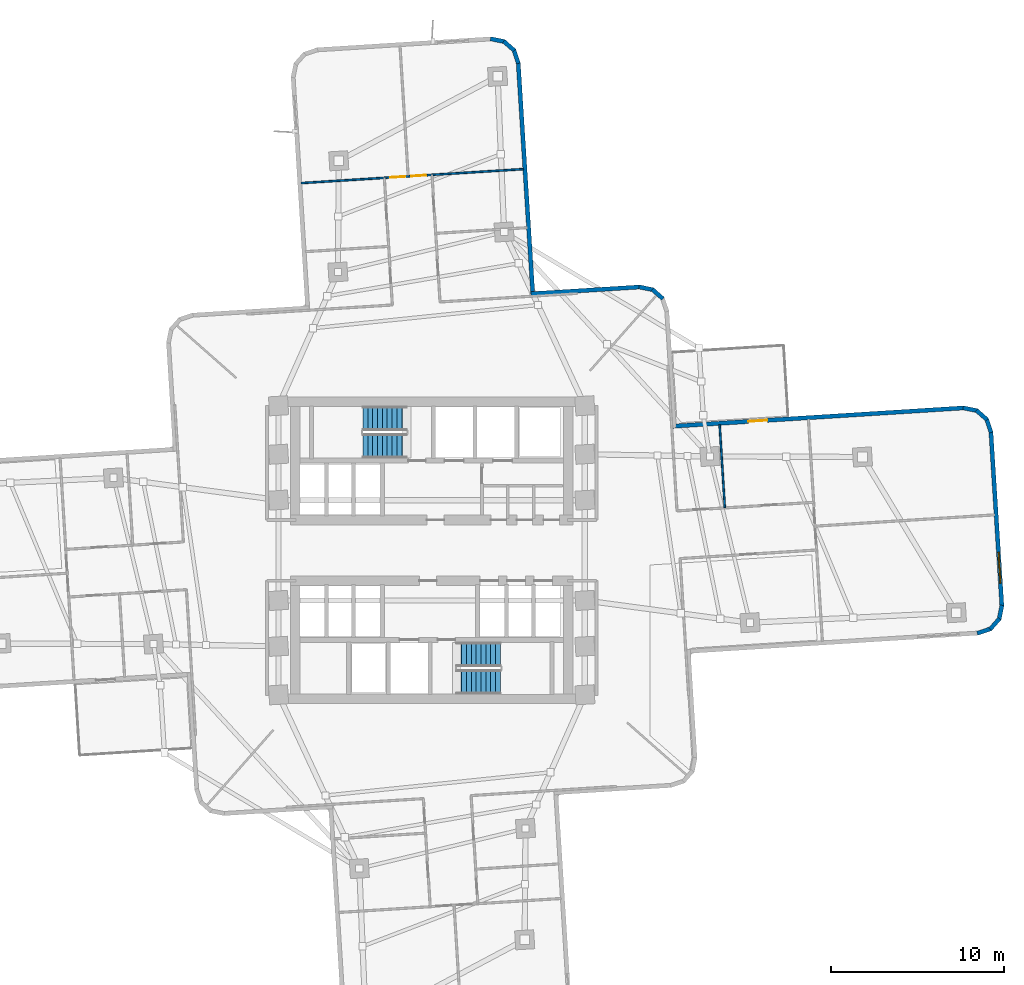
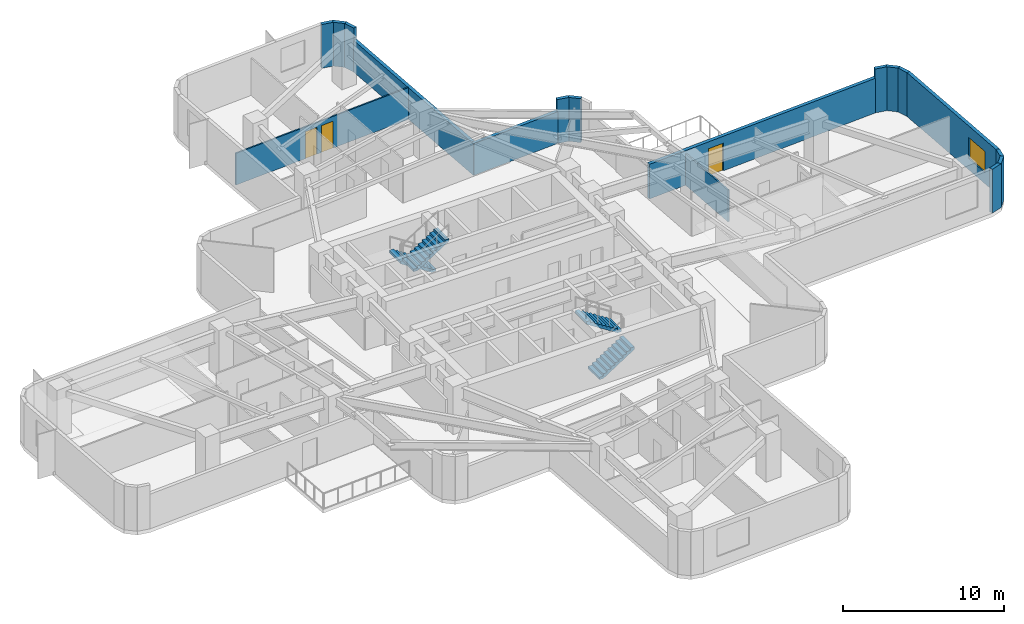
# One storey, part 6 of 11: 17 walls, 4 stair flights, 3 doors, 1 window, 4 openings, 2 elements without a shape of their own.
"""IFC4 building model written with IfcOpenShell, lengths in metres."""

from ifc_helpers import new_model, si_unit, direction, frame, frame_2d, origin, place, context, subcontext, project, spatial, polyline, rectangle, outline, extrude, material, layer, layer_set, type_object, element, fill, aggregate, save


model = new_model("IFC4")

# Units and contexts
model_context = context("Model", 3, precision=1e-05, world=origin(), true_north=direction((0.0, 1.0)))
body_context = subcontext(model_context, "Body", "Model", "MODEL_VIEW")
ifc_project = project(units=[si_unit("LENGTHUNIT", "METRE"), si_unit("AREAUNIT", "SQUARE_METRE"), si_unit("VOLUMEUNIT", "CUBIC_METRE"), si_unit("PLANEANGLEUNIT", "RADIAN"), si_unit("MASSUNIT", "GRAM", prefix="KILO")], contexts=[model_context])

# Site, building, storey
site_placement = place(None, origin())
site = spatial("IfcSite", under=ifc_project, at=site_placement, CompositionType="ELEMENT")
building_placement = place(site_placement, origin())
building = spatial("IfcBuilding", under=site, at=building_placement, Name="Solmarez Civic Tower", CompositionType="ELEMENT")
storey_placement = place(building_placement, frame((0.0, 0.0, 49.679931640625)))
storey = spatial("IfcBuildingStorey", under=building, at=storey_placement, Name="L12", CompositionType="ELEMENT", Elevation=49.679931640625)

# Walls
ifc_material_1 = material(Name="Precast concrete C40/50", Category="concrete")
ifc_layer_1 = layer(ifc_material_1, 0.239990234375)
ifc_layer_set_1 = layer_set([ifc_layer_1], Name="Precast concrete C40/50")
wall_type_1 = type_object("IfcWallType", Name="WALL-EXT-240", PredefinedType="SOLIDWALL", material=ifc_layer_set_1)
wall_1_placement = place(storey_placement, frame((3.389892578125, 29.55810546875, 0.0), z_axis=(0.0, 0.0, 1.0), x_axis=(0.980342817353, -0.19730169909, 0.0)))
element("IfcWall", 1, at=wall_1_placement, inside=storey, type_object=wall_type_1, Name="L12 Exterior Precast Wall 25", PredefinedType="SOLIDWALL", context=body_context, shape_type="SweptSolid", body=[
    extrude(rectangle(XDim=0.83154296875, YDim=0.239990234375, at=frame_2d((0.415771484375, 0.0))), origin(), (0.0, 0.0, 1.0), 3.320068359375),
])
wall_2_placement = place(storey_placement, frame((4.160888671875, 29.416015625, 0.0), z_axis=(0.0, 0.0, 1.0), x_axis=(0.749322176211, -0.662205614774, 0.0)))
element("IfcWall", 2, at=wall_2_placement, inside=storey, type_object=wall_type_1, Name="L12 Exterior Precast Wall 26", PredefinedType="SOLIDWALL", context=body_context, shape_type="SweptSolid", body=[
    extrude(rectangle(XDim=0.8154296875, YDim=0.239990234375, at=frame_2d((0.40771484375, 0.0))), origin(), (0.0, 0.0, 1.0), 3.320068359375),
])
wall_3_placement = place(storey_placement, frame((4.7451171875, 28.9169921875, 0.0), z_axis=(0.0, 0.0, 1.0), x_axis=(0.318960399163, -0.947768043229, 0.0)))
element("IfcWall", 3, at=wall_3_placement, inside=storey, type_object=wall_type_1, Name="L12 Exterior Precast Wall 27", PredefinedType="SOLIDWALL", context=body_context, shape_type="SweptSolid", body=[
    extrude(rectangle(XDim=0.83056640625, YDim=0.239990234375, at=frame_2d((0.415283203125, 0.0))), origin(), (0.0, 0.0, 1.0), 3.320068359375),
])
wall_4_placement = place(storey_placement, frame((5.0, 28.178955078125, 0.0), z_axis=(0.0, 0.0, 1.0), x_axis=(0.062848621891, -0.99802307124, 0.0)))
element("IfcWall", 4, at=wall_4_placement, inside=storey, type_object=wall_type_1, Name="L12 Exterior Precast Wall 28", PredefinedType="SOLIDWALL", context=body_context, shape_type="SweptSolid", body=[
    extrude(rectangle(XDim=13.4755859375, YDim=0.239990234375, at=frame_2d((6.73779296875, 0.0))), origin(), (0.0, 0.0, 1.0), 2.401123046875),
])
wall_5_placement = place(storey_placement, frame((5.7451171875, 14.820068359375, 0.0), z_axis=(0.0, 0.0, 1.0), x_axis=(0.998019696231, 0.062902193405, 0.0)))
element("IfcWall", 5, at=wall_5_placement, inside=storey, type_object=wall_type_1, Name="L12 Exterior Precast Wall 31", PredefinedType="SOLIDWALL", context=body_context, shape_type="SweptSolid", body=[
    extrude(rectangle(XDim=6.29541015625, YDim=0.239990234375, at=frame_2d((3.147705078125, 0.0))), origin(), (0.0, 0.0, 1.0), 2.401123046875),
])
wall_6_placement = place(storey_placement, frame((11.97802734375, 15.218994140625, 0.0), z_axis=(0.0, 0.0, 1.0), x_axis=(0.980057147523, -0.198715846348, 0.0)))
element("IfcWall", 6, at=wall_6_placement, inside=storey, type_object=wall_type_1, Name="L12 Exterior Precast Wall 32", PredefinedType="SOLIDWALL", context=body_context, shape_type="SweptSolid", body=[
    extrude(rectangle(XDim=0.83056640625, YDim=0.239990234375, at=frame_2d((0.415283203125, 0.0))), origin(), (0.0, 0.0, 1.0), 3.320068359375),
])
wall_7_placement = place(storey_placement, frame((12.748046875, 15.075927734375, 0.0), z_axis=(0.0, 0.0, 1.0), x_axis=(0.750588777208, -0.66076961759, 0.0)))
element("IfcWall", 7, at=wall_7_placement, inside=storey, type_object=wall_type_1, Name="L12 Exterior Precast Wall 33", PredefinedType="SOLIDWALL", context=body_context, shape_type="SweptSolid", body=[
    extrude(rectangle(XDim=0.8154296875, YDim=0.239990234375, at=frame_2d((0.40771484375, 0.0))), origin(), (0.0, 0.0, 1.0), 3.320068359375),
])

# Wall, opening, door
wall_8_placement = place(storey_placement, frame((13.910888671875, 7.1669921875, 0.0), z_axis=(0.0, 0.0, 1.0), x_axis=(0.99802143782, 0.062874554885, 0.0)))
wall_8 = element("IfcWall", 8, at=wall_8_placement, inside=storey, type_object=wall_type_1, Name="L12 Exterior Precast Wall 38", PredefinedType="SOLIDWALL", context=body_context, shape_type="SweptSolid", body=[
    extrude(rectangle(XDim=16.87548828125, YDim=0.239990234375, at=frame_2d((8.437744140625, 0.0))), origin(), (0.0, 0.0, 1.0), 2.6240234375),
])
opening_1_placement = place(wall_8_placement, frame((4.39990234375, 0.0, 0.0)))
opening_1 = element("IfcOpeningElement", 9, at=opening_1_placement, cuts=wall_8, Name="Opening D-06", PredefinedType="OPENING", context=body_context, shape_type="SweptSolid", body=[
    extrude(rectangle(XDim=1.10009765625, YDim=2.10009765625, at=frame_2d((0.550048828125, 1.050048828125))), frame((0.0, 0.1298828125, 0.0), z_axis=(0.0, -1.0, 0.0), x_axis=(1.0, 0.0, 0.0)), (0.0, 0.0, 1.0), 0.260009765625),
])
ifc_material_2 = material(Name="Bronze Anodised Aluminium Glazed Terrace Door", Category="aluminium")
door_type_1 = type_object("IfcDoorType", Name="DOOR-TERR-1100", OperationType="NOTDEFINED", PredefinedType="DOOR", material=ifc_material_2)
door_1_placement = place(opening_1_placement, origin())
door_1 = element("IfcDoor", 10, at=door_1_placement, inside=storey, type_object=door_type_1, Name="L12 Outdoor Terrace Glazed Door", OperationType="SINGLE_SWING_RIGHT", OverallHeight=2.10009765625, OverallWidth=1.10009765625, PredefinedType="DOOR", context=body_context, shape_type="SweptSolid", body=[
    extrude(rectangle(XDim=1.10009765625, YDim=2.10009765625, at=frame_2d((0.550048828125, 1.050048828125))), frame((0.0, 0.02490234375, 0.0), z_axis=(0.0, -1.0, 0.0), x_axis=(1.0, 0.0, 0.0)), (0.0, 0.0, 1.0), 0.050048828125),
])
fill(opening_1, door_1)

# Walls
wall_9_placement = place(storey_placement, frame((30.702880859375, 8.23095703125, 0.0), z_axis=(0.0, 0.0, 1.0), x_axis=(0.980115061473, -0.198430003461, 0.0)))
element("IfcWall", 11, at=wall_9_placement, inside=storey, type_object=wall_type_1, Name="L12 Exterior Precast Wall 39", PredefinedType="SOLIDWALL", context=body_context, shape_type="SweptSolid", body=[
    extrude(rectangle(XDim=0.831787109375, YDim=0.239990234375, at=frame_2d((0.416015625, 0.0))), origin(), (0.0, 0.0, 1.0), 3.320068359375),
])
wall_10_placement = place(storey_placement, frame((31.47412109375, 8.087890625, 0.0), z_axis=(0.0, 0.0, 1.0), x_axis=(0.749934065497, -0.661512582954, 0.0)))
element("IfcWall", 12, at=wall_10_placement, inside=storey, type_object=wall_type_1, Name="L12 Exterior Precast Wall 40", PredefinedType="SOLIDWALL", context=body_context, shape_type="SweptSolid", body=[
    extrude(rectangle(XDim=0.814453125, YDim=0.239990234375, at=frame_2d((0.4072265625, 0.0))), origin(), (0.0, 0.0, 1.0), 3.320068359375),
])
wall_11_placement = place(storey_placement, frame((32.05810546875, 7.590087890625, 0.0), z_axis=(0.0, 0.0, 1.0), x_axis=(0.318960399163, -0.947768043229, 0.0)))
element("IfcWall", 13, at=wall_11_placement, inside=storey, type_object=wall_type_1, Name="L12 Exterior Precast Wall 41", PredefinedType="SOLIDWALL", context=body_context, shape_type="SweptSolid", body=[
    extrude(rectangle(XDim=0.83056640625, YDim=0.239990234375, at=frame_2d((0.415283203125, 0.0))), origin(), (0.0, 0.0, 1.0), 3.320068359375),
])

# Wall, opening, window
wall_12_placement = place(storey_placement, frame((32.31298828125, 6.85205078125, 0.0), z_axis=(0.0, 0.0, 1.0), x_axis=(0.062877947964, -0.998021224053, 0.0)))
wall_12 = element("IfcWall", 14, at=wall_12_placement, inside=storey, type_object=wall_type_1, Name="L12 Exterior Precast Wall 42", PredefinedType="SOLIDWALL", context=body_context, shape_type="SweptSolid", body=[
    extrude(rectangle(XDim=10.09912109375, YDim=0.239990234375, at=frame_2d((5.049560546875, 0.0))), origin(), (0.0, 0.0, 1.0), 3.320068359375),
])
opening_2_placement = place(wall_12_placement, frame((6.97705078125, 0.0, 0.85009765625)))
opening_2 = element("IfcOpeningElement", 15, at=opening_2_placement, cuts=wall_12, Name="Opening W-12", PredefinedType="OPENING", context=body_context, shape_type="SweptSolid", body=[
    extrude(rectangle(XDim=1.800048828125, YDim=1.60009765625, at=frame_2d((0.89990234375, 0.800048828125))), frame((0.0, 0.1298828125, 0.0), z_axis=(0.0, -1.0, 0.0), x_axis=(1.0, 0.0, 0.0)), (0.0, 0.0, 1.0), 0.260009765625),
])
ifc_material_3 = material(Name="Solar Control Bronze-Tinted Insulating Glass", Category="glass")
window_type = type_object("IfcWindowType", Name="WIN-1800X1600", PartitioningType="SINGLE_PANEL", PredefinedType="WINDOW", material=ifc_material_3)
window_placement = place(opening_2_placement, origin())
window = element("IfcWindow", 16, at=window_placement, inside=storey, type_object=window_type, Name="L12 Exterior Facade Window 42", OverallHeight=1.60009765625, OverallWidth=1.800048828125, PartitioningType="SINGLE_PANEL", PredefinedType="WINDOW", context=body_context, shape_type="SweptSolid", body=[
    extrude(rectangle(XDim=1.800048828125, YDim=1.60009765625, at=frame_2d((0.89990234375, 0.800048828125))), frame((0.0, 0.030029296875, 0.0), z_axis=(0.0, -1.0, 0.0), x_axis=(1.0, 0.0, 0.0)), (0.0, 0.0, 1.0), 0.06005859375),
])
fill(opening_2, window)

# Walls
wall_13_placement = place(storey_placement, frame((32.950927734375, -3.177001953125, 0.0), z_axis=(0.0, 0.0, 1.0), x_axis=(-0.197076231398, -0.980388167522, 0.0)))
element("IfcWall", 17, at=wall_13_placement, inside=storey, type_object=wall_type_1, Name="L12 Exterior Precast Wall 43", PredefinedType="SOLIDWALL", context=body_context, shape_type="SweptSolid", body=[
    extrude(rectangle(XDim=0.831298828125, YDim=0.239990234375, at=frame_2d((0.41552734375, 0.0))), origin(), (0.0, 0.0, 1.0), 3.320068359375),
])
wall_14_placement = place(storey_placement, frame((32.80908203125, -3.947998046875, 0.0), z_axis=(0.0, 0.0, 1.0), x_axis=(-0.661532449753, -0.749916540639, 0.0)))
element("IfcWall", 18, at=wall_14_placement, inside=storey, type_object=wall_type_1, Name="L12 Exterior Precast Wall 44", PredefinedType="SOLIDWALL", context=body_context, shape_type="SweptSolid", body=[
    extrude(rectangle(XDim=0.81494140625, YDim=0.239990234375, at=frame_2d((0.407470703125, 0.0))), origin(), (0.0, 0.0, 1.0), 3.320068359375),
])
wall_15_placement = place(storey_placement, frame((32.31103515625, -4.531982421875, 0.0), z_axis=(0.0, 0.0, 1.0), x_axis=(-0.94779876374, -0.318869100812, 0.0)))
element("IfcWall", 19, at=wall_15_placement, inside=storey, type_object=wall_type_1, Name="L12 Exterior Precast Wall 45", PredefinedType="SOLIDWALL", context=body_context, shape_type="SweptSolid", body=[
    extrude(rectangle(XDim=0.83154296875, YDim=0.239990234375, at=frame_2d((0.415771484375, 0.0))), origin(), (0.0, 0.0, 1.0), 3.320068359375),
])
ifc_material_4 = material(Name="Gypsum Board Acoustic Steel-Stud Partition", Category="steel")
ifc_layer_2 = layer(ifc_material_4, 0.10009765625)
ifc_layer_set_2 = layer_set([ifc_layer_2], Name="Gypsum Board Acoustic Steel-Stud Partition")
wall_type_2 = type_object("IfcWallType", Name="WALL-INT-PART-100", PredefinedType="PARTITIONING", material=ifc_layer_set_2)
wall_16_placement = place(storey_placement, frame((16.93798828125, 2.468017578125, 0.0), z_axis=(0.0, 0.0, 1.0), x_axis=(-0.062774483496, 0.998027737201, 0.0)))
element("IfcWall", 20, at=wall_16_placement, inside=storey, type_object=wall_type_2, Name="L12 Interior Partition PT-L12-E-LM", PredefinedType="PARTITIONING", context=body_context, shape_type="SweptSolid", body=[
    extrude(rectangle(XDim=4.79541015625, YDim=0.10009765625, at=frame_2d((2.397705078125, 0.0))), origin(), (0.0, 0.0, 1.0), 2.401123046875),
])

# Wall, openings, doors
wall_17_placement = place(storey_placement, frame((-7.5419921875, 21.218017578125, 0.0), z_axis=(0.0, 0.0, 1.0), x_axis=(0.998027771759, 0.062773934056, 0.0)))
wall_17 = element("IfcWall", 21, at=wall_17_placement, inside=storey, type_object=wall_type_2, Name="L12 Interior Partition PT-L12-N-END", PredefinedType="PARTITIONING", context=body_context, shape_type="SweptSolid", body=[
    extrude(rectangle(XDim=12.869384765625, YDim=0.10009765625, at=frame_2d((6.4345703125, 0.0))), origin(), (0.0, 0.0, 1.0), 2.401123046875),
])
opening_3_placement = place(wall_17_placement, frame((6.364990234375, 0.0, 0.0)))
opening_3 = element("IfcOpeningElement", 22, at=opening_3_placement, cuts=wall_17, Name="Opening D-14", PredefinedType="OPENING", context=body_context, shape_type="SweptSolid", body=[
    extrude(rectangle(XDim=0.860107421875, YDim=2.0400390625, at=frame_2d((0.43017578125, 1.02001953125))), frame((0.0, 0.06005859375, 0.0), z_axis=(0.0, -1.0, 0.0), x_axis=(1.0, 0.0, 0.0)), (0.0, 0.0, 1.0), 0.1201171875),
])
opening_4_placement = place(wall_17_placement, frame((5.1650390625, 0.0, 0.0)))
opening_4 = element("IfcOpeningElement", 23, at=opening_4_placement, cuts=wall_17, Name="Opening D-14", PredefinedType="OPENING", context=body_context, shape_type="SweptSolid", body=[
    extrude(rectangle(XDim=0.860107421875, YDim=2.0400390625, at=frame_2d((0.43017578125, 1.02001953125))), frame((0.0, 0.06005859375, 0.0), z_axis=(0.0, -1.0, 0.0), x_axis=(1.0, 0.0, 0.0)), (0.0, 0.0, 1.0), 0.1201171875),
])
ifc_material_5 = material(Name="Timber Storage and Pantry Door", Category="wood")
door_type_2 = type_object("IfcDoorType", Name="DOOR-INT-850", OperationType="NOTDEFINED", PredefinedType="DOOR", material=ifc_material_5)
door_2_placement = place(opening_3_placement, origin())
door_2 = element("IfcDoor", 24, at=door_2_placement, inside=storey, type_object=door_type_2, Name="L12 Municipal Law Library Sixth North Door", OperationType="SINGLE_SWING_RIGHT", OverallHeight=2.0400390625, OverallWidth=0.860107421875, PredefinedType="DOOR", context=body_context, shape_type="SweptSolid", body=[
    extrude(rectangle(XDim=0.860107421875, YDim=2.0400390625, at=frame_2d((0.43017578125, 1.02001953125))), frame((0.0, 0.02490234375, 0.0), z_axis=(0.0, -1.0, 0.0), x_axis=(1.0, 0.0, 0.0)), (0.0, 0.0, 1.0), 0.050048828125),
])
fill(opening_3, door_2)
door_3_placement = place(opening_4_placement, origin())
door_3 = element("IfcDoor", 25, at=door_3_placement, inside=storey, type_object=door_type_2, Name="L12 Policy Administration Office Fifth North Door", OperationType="SINGLE_SWING_LEFT", OverallHeight=2.0400390625, OverallWidth=0.860107421875, PredefinedType="DOOR", context=body_context, shape_type="SweptSolid", body=[
    extrude(rectangle(XDim=0.860107421875, YDim=2.0400390625, at=frame_2d((0.43017578125, 1.02001953125))), frame((0.0, 0.02490234375, 0.0), z_axis=(0.0, -1.0, 0.0), x_axis=(1.0, 0.0, 0.0)), (0.0, 0.0, 1.0), 0.050048828125),
])
fill(opening_4, door_3)

# Stair, stair flights
ifc_material_6 = material(Name="Concrete C50/60", Category="concrete")
stair_type = type_object("IfcStairType", Name="STAIR-DOGLEG-140W-20R-1800", PredefinedType="HALF_TURN_STAIR", material=ifc_material_6)
stair_1_placement = place(storey_placement, origin())
stair_1 = element("IfcStair", 26, at=stair_1_placement, inside=storey, type_object=stair_type, Name="L12 North Core Protected Exit Stair ST-1", PredefinedType="HALF_TURN_STAIR")
stair_flight_type = type_object("IfcStairFlightType", Name="FLIGHT-DOGLEG-140W-10R-1800", PredefinedType="STRAIGHT", material=ifc_material_6)
stair_flight_1_placement = place(storey_placement, frame((-1.449951171875, 7.6201171875, 0.0), z_axis=(0.0, 0.0, 1.0), x_axis=(-1.0, 0.0, 0.0)))
stair_flight_1 = element("IfcStairFlight", 27, at=stair_flight_1_placement, type_object=stair_flight_type, Name="ST-1 flight 1", NumberOfRisers=10, NumberOfTreads=9, PredefinedType="STRAIGHT", RiserHeight=0.18, TreadLength=0.28, context=body_context, shape_type="SweptSolid", body=[
    extrude(outline(polyline([(0.0, 0.0), (0.0, 0.179931640625), (0.280029296875, 0.179931640625), (0.280029296875, 0.360107421875), (0.56005859375, 0.360107421875), (0.56005859375, 0.5400390625), (0.840087890625, 0.5400390625), (0.840087890625, 0.719970703125), (1.1201171875, 0.719970703125), (1.1201171875, 0.89990234375), (1.39990234375, 0.89990234375), (1.39990234375, 1.080078125), (1.679931640625, 1.080078125), (1.679931640625, 1.260009765625), (1.9599609375, 1.260009765625), (1.9599609375, 1.43994140625), (2.239990234375, 1.43994140625), (2.239990234375, 1.6201171875), (2.52001953125, 1.6201171875), (2.52001953125, 1.800048828125), (2.52001953125, 1.429931640625), (0.295654296875, 0.0), (0.0, 0.0)])), frame((0.0, 0.699951171875, 0.0), z_axis=(0.0, -1.0, 0.0), x_axis=(1.0, 0.0, 0.0)), (0.0, 0.0, 1.0), 1.39990234375),
])
stair_flight_2_placement = place(storey_placement, frame((-3.969970703125, 6.02001953125, 1.800048828125), z_axis=(0.0, 0.0, 1.0), x_axis=(1.0, 0.0, 0.0)))
stair_flight_2 = element("IfcStairFlight", 28, at=stair_flight_2_placement, type_object=stair_flight_type, Name="ST-1 flight 2", NumberOfRisers=10, NumberOfTreads=9, PredefinedType="STRAIGHT", RiserHeight=0.18, TreadLength=0.28, context=body_context, shape_type="SweptSolid", body=[
    extrude(outline(polyline([(0.0, 0.0), (0.0, 0.179931640625), (0.280029296875, 0.179931640625), (0.280029296875, 0.360107421875), (0.56005859375, 0.360107421875), (0.56005859375, 0.5400390625), (0.840087890625, 0.5400390625), (0.840087890625, 0.719970703125), (1.1201171875, 0.719970703125), (1.1201171875, 0.89990234375), (1.39990234375, 0.89990234375), (1.39990234375, 1.080078125), (1.679931640625, 1.080078125), (1.679931640625, 1.260009765625), (1.9599609375, 1.260009765625), (1.9599609375, 1.43994140625), (2.239990234375, 1.43994140625), (2.239990234375, 1.6201171875), (2.52001953125, 1.6201171875), (2.52001953125, 1.800048828125), (2.52001953125, 1.429931640625), (0.295654296875, 0.0), (0.0, 0.0)])), frame((0.0, 0.699951171875, 0.0), z_axis=(0.0, -1.0, 0.0), x_axis=(1.0, 0.0, 0.0)), (0.0, 0.0, 1.0), 1.39990234375),
])
aggregate(stair_1, [stair_flight_1, stair_flight_2])

stair_2_placement = place(storey_placement, origin())
stair_2 = element("IfcStair", 29, at=stair_2_placement, inside=storey, type_object=stair_type, Name="L12 South Core Protected Exit Stair ST-2", PredefinedType="HALF_TURN_STAIR")
stair_flight_3_placement = place(storey_placement, frame((1.449951171875, -7.6201171875, 0.0), z_axis=(0.0, 0.0, 1.0), x_axis=(1.0, 0.0, 0.0)))
stair_flight_3 = element("IfcStairFlight", 30, at=stair_flight_3_placement, type_object=stair_flight_type, Name="ST-2 flight 1", NumberOfRisers=10, NumberOfTreads=9, PredefinedType="STRAIGHT", RiserHeight=0.18, TreadLength=0.28, context=body_context, shape_type="SweptSolid", body=[
    extrude(outline(polyline([(0.0, 0.0), (0.0, 0.179931640625), (0.280029296875, 0.179931640625), (0.280029296875, 0.360107421875), (0.56005859375, 0.360107421875), (0.56005859375, 0.5400390625), (0.840087890625, 0.5400390625), (0.840087890625, 0.719970703125), (1.1201171875, 0.719970703125), (1.1201171875, 0.89990234375), (1.39990234375, 0.89990234375), (1.39990234375, 1.080078125), (1.679931640625, 1.080078125), (1.679931640625, 1.260009765625), (1.9599609375, 1.260009765625), (1.9599609375, 1.43994140625), (2.239990234375, 1.43994140625), (2.239990234375, 1.6201171875), (2.52001953125, 1.6201171875), (2.52001953125, 1.800048828125), (2.52001953125, 1.429931640625), (0.295654296875, 0.0), (0.0, 0.0)])), frame((0.0, 0.699951171875, 0.0), z_axis=(0.0, -1.0, 0.0), x_axis=(1.0, 0.0, 0.0)), (0.0, 0.0, 1.0), 1.39990234375),
])
stair_flight_4_placement = place(storey_placement, frame((3.969970703125, -6.02001953125, 1.800048828125), z_axis=(0.0, 0.0, 1.0), x_axis=(-1.0, 0.0, 0.0)))
stair_flight_4 = element("IfcStairFlight", 31, at=stair_flight_4_placement, type_object=stair_flight_type, Name="ST-2 flight 2", NumberOfRisers=10, NumberOfTreads=9, PredefinedType="STRAIGHT", RiserHeight=0.18, TreadLength=0.28, context=body_context, shape_type="SweptSolid", body=[
    extrude(outline(polyline([(0.0, 0.0), (0.0, 0.179931640625), (0.280029296875, 0.179931640625), (0.280029296875, 0.360107421875), (0.56005859375, 0.360107421875), (0.56005859375, 0.5400390625), (0.840087890625, 0.5400390625), (0.840087890625, 0.719970703125), (1.1201171875, 0.719970703125), (1.1201171875, 0.89990234375), (1.39990234375, 0.89990234375), (1.39990234375, 1.080078125), (1.679931640625, 1.080078125), (1.679931640625, 1.260009765625), (1.9599609375, 1.260009765625), (1.9599609375, 1.43994140625), (2.239990234375, 1.43994140625), (2.239990234375, 1.6201171875), (2.52001953125, 1.6201171875), (2.52001953125, 1.800048828125), (2.52001953125, 1.429931640625), (0.295654296875, 0.0), (0.0, 0.0)])), frame((0.0, 0.699951171875, 0.0), z_axis=(0.0, -1.0, 0.0), x_axis=(1.0, 0.0, 0.0)), (0.0, 0.0, 1.0), 1.39990234375),
])
aggregate(stair_2, [stair_flight_3, stair_flight_4])

save(model, "model.ifc")
